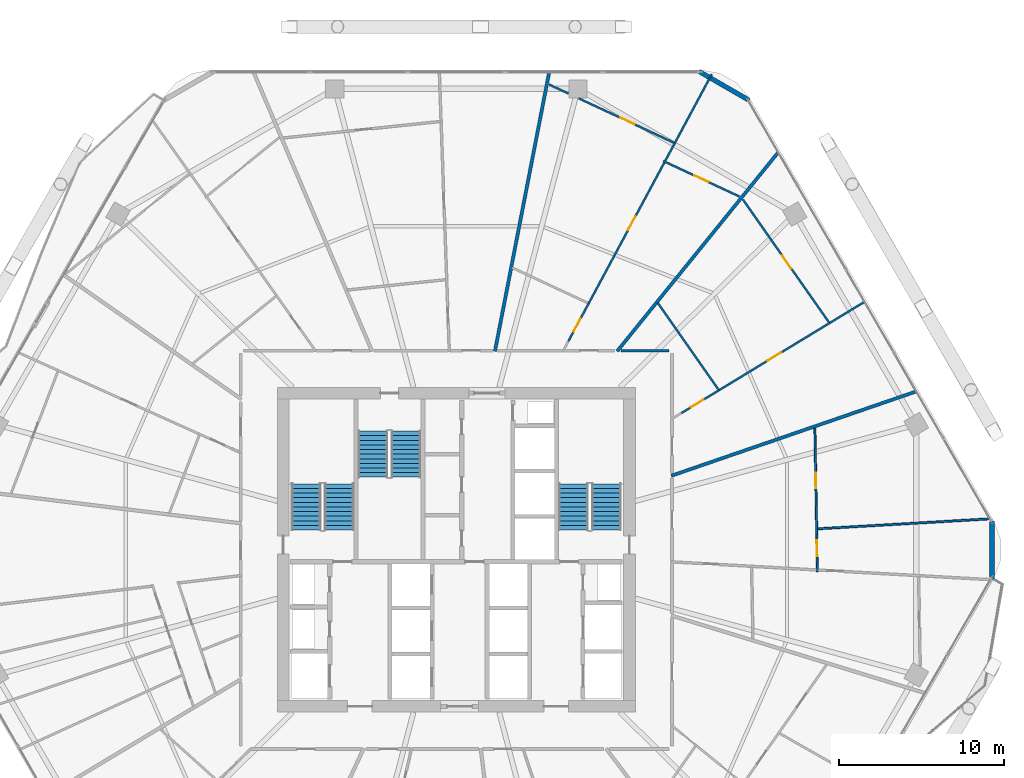
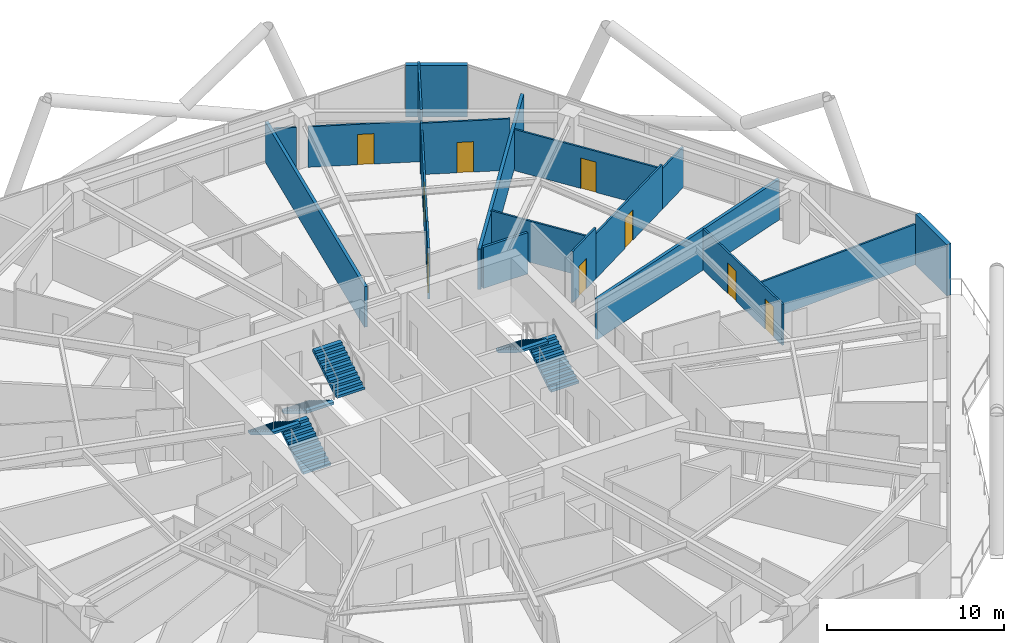
# One storey, part 34 of 36: 20 walls, 9 doors, 6 stair flights, 9 openings, 3 elements without a shape of their own.
"""IFC4 building model written with IfcOpenShell, lengths in metres."""

import ifcopenshell
import ifcopenshell.guid

model = None  # the IFC model being written
_history = None  # IfcOwnerHistory: only IFC2X3 demands one
_inside = {}  # id of a spatial element -> (the spatial element, [elements in it])
_under = {}  # id of a project, library or spatial element -> (it, [spatial elements below it])
_declared = {}  # id of a project -> (the project, [libraries it declares])
_typed = {}  # id of a type object -> (the type object, [elements of that type])
_made_of = {}  # id of a material, layer set ... -> (it, [elements and type objects made of it])


def new_model(schema):
    """Start an empty IFC model of exactly this schema.

    Asked for "IFC4X3", IfcOpenShell would pick the latest addendum, in which some entities
    have other attributes; the version numbers below select the first issue.
    IFC2X3 requires an IfcOwnerHistory on every rooted entity: one is made here for all.
    """
    global model, _history
    if schema == "IFC4X3":
        model = ifcopenshell.file(schema_version=(4, 3, 0, 0))
    else:
        model = ifcopenshell.file(schema=schema)
    _inside.clear()
    _under.clear()
    _declared.clear()
    _typed.clear()
    _made_of.clear()
    _history = None
    if model.schema == "IFC2X3":
        org = make("IfcOrganization", Name="unknown")
        user = make(
            "IfcPersonAndOrganization",
            ThePerson=make("IfcPerson", FamilyName="unknown"),
            TheOrganization=org,
        )
        app = make(
            "IfcApplication",
            ApplicationDeveloper=org,
            Version="unknown",
            ApplicationFullName="unknown",
            ApplicationIdentifier="unknown",
        )
        _history = make(
            "IfcOwnerHistory",
            OwningUser=user,
            OwningApplication=app,
            ChangeAction="ADDED",
            CreationDate=0,
        )
    return model


def make(cls, **values):
    """One entity of the class cls with the attributes given. An attribute that is None is left unset."""
    return model.create_entity(
        cls, **{name: value for name, value in values.items() if value is not None}
    )


def rooted(cls, **values):
    """An entity with a GlobalId (a new one), such as an element, a storey or a relation."""
    return make(cls, GlobalId=ifcopenshell.guid.new(), OwnerHistory=_history, **values)


def si_unit(unit_type, name, prefix=None):
    """IfcSIUnit, for example si_unit("LENGTHUNIT", "METRE", prefix="MILLI")."""
    return make("IfcSIUnit", UnitType=unit_type, Prefix=prefix, Name=name)


def assignment(units):
    """IfcUnitAssignment: the units of a project."""
    return None if units is None else make("IfcUnitAssignment", Units=units)


def point(xyz):
    """IfcCartesianPoint."""
    return None if xyz is None else make("IfcCartesianPoint", Coordinates=xyz)


def direction(xyz):
    """IfcDirection."""
    return None if xyz is None else make("IfcDirection", DirectionRatios=xyz)


def frame(location, z_axis=None, x_axis=None):
    """IfcAxis2Placement3D, a coordinate frame: its origin and axes. An axis left out is left unset."""
    return make(
        "IfcAxis2Placement3D",
        Location=point(location),
        Axis=direction(z_axis),
        RefDirection=direction(x_axis),
    )


def frame_2d(location, x_axis=None):
    """IfcAxis2Placement2D, a coordinate frame in the plane: its origin and x axis."""
    return make(
        "IfcAxis2Placement2D", Location=point(location), RefDirection=direction(x_axis)
    )


def origin():
    """The frame at (0, 0, 0) with its axes left unset."""
    return frame((0.0, 0.0, 0.0))


def place(relative_to, where):
    """IfcLocalPlacement: puts the frame where relative to a parent placement (None: the world)."""
    return make(
        "IfcLocalPlacement", PlacementRelTo=relative_to, RelativePlacement=where
    )


def context(
    kind, dimensions, precision=None, world=None, true_north=None, identifier=None
):
    """IfcGeometricRepresentationContext, for example the 3D "Model" context."""
    return make(
        "IfcGeometricRepresentationContext",
        ContextIdentifier=identifier,
        ContextType=kind,
        CoordinateSpaceDimension=dimensions,
        Precision=precision,
        WorldCoordinateSystem=world,
        TrueNorth=true_north,
    )


def subcontext(parent, identifier, kind, view, scale=None):
    """IfcGeometricRepresentationSubContext, for example "Body" below "Model"."""
    return make(
        "IfcGeometricRepresentationSubContext",
        ContextIdentifier=identifier,
        ContextType=kind,
        ParentContext=parent,
        TargetScale=scale,
        TargetView=view,
    )


def project(units=None, contexts=None):
    """IfcProject with its units and contexts."""
    return rooted(
        "IfcProject",
        Name="project",
        RepresentationContexts=contexts,
        UnitsInContext=assignment(units),
    )


def spatial(cls, under=None, at=None, **own):
    """A site, building, storey or space (cls), placed at a placement, below another one or the project."""
    s = rooted(cls, ObjectPlacement=at, **own)
    if under is not None:
        _under.setdefault(under.id(), (under, []))[1].append(s)
    return s


def polyline(points):
    """IfcPolyline through the points."""
    return make("IfcPolyline", Points=[point(p) for p in points])


def profile(cls, at=None, kind="AREA", **sizes):
    """A parametric profile (cls). Its sizes go by their IFC names, for example OverallWidth=200.0."""
    return make(cls, ProfileType=kind, Position=at, **sizes)


def rectangle(**sizes):
    """IfcRectangleProfileDef."""
    return profile("IfcRectangleProfileDef", **sizes)


def outline(outer, holes=None, kind="AREA"):
    """IfcArbitraryClosedProfileDef: a profile drawn as a closed curve; with holes, ...WithVoids."""
    if holes is None:
        return make("IfcArbitraryClosedProfileDef", ProfileType=kind, OuterCurve=outer)
    return make(
        "IfcArbitraryProfileDefWithVoids",
        ProfileType=kind,
        OuterCurve=outer,
        InnerCurves=holes,
    )


def extrude(swept, where, along, depth):
    """IfcExtrudedAreaSolid: the profile swept, set in the frame where, extruded along a direction by depth."""
    return make(
        "IfcExtrudedAreaSolid",
        SweptArea=swept,
        Position=where,
        ExtrudedDirection=direction(along),
        Depth=depth,
    )


def shape(context_of_items, identifier, shape_type, items):
    """IfcShapeRepresentation: the items that make up one representation, for example the "Body"."""
    return make(
        "IfcShapeRepresentation",
        ContextOfItems=context_of_items,
        RepresentationIdentifier=identifier,
        RepresentationType=shape_type,
        Items=items,
    )


def material(Name=None, Category=None):
    """IfcMaterial."""
    return make("IfcMaterial", Name=Name, Category=Category)


def layer(
    of_material, thickness, ventilated=None, Name=None, Category=None, Priority=None
):
    """IfcMaterialLayer: one layer of a wall or slab, of a material (None: an air gap)."""
    return make(
        "IfcMaterialLayer",
        Material=of_material,
        LayerThickness=thickness,
        IsVentilated=ventilated,
        Name=Name,
        Category=Category,
        Priority=Priority,
    )


def layer_set(layers, Name=None):
    """IfcMaterialLayerSet."""
    return make("IfcMaterialLayerSet", MaterialLayers=layers, LayerSetName=Name)


def made_of(thing, what):
    """Note that an element or type object is made of a material, layer set ...; save() writes the relation."""
    if what is not None:
        _made_of.setdefault(what.id(), (what, []))[1].append(thing)
    return thing


def type_object(cls, material=None, **own):
    """A type object (cls), such as IfcWallType, which elements share."""
    return made_of(rooted(cls, **own), material)


def element(
    cls,
    number,
    at=None,
    inside=None,
    cuts=None,
    type_object=None,
    material=None,
    context=None,
    identifier="Body",
    shape_type=None,
    held_by="IfcProductDefinitionShape",
    body=None,
    shapes=None,
    **own,
):
    """One element of the class cls, such as IfcWall. Its Tag is "e" and its number.

    at: its placement. inside: the storey or other place that contains it. cuts: it is an
    opening in that element (IfcRelVoidsElement). A single representation is given by context,
    identifier, shape_type and body (its items); several are given by shapes. held_by: the class
    of the entity that holds the representations. save() writes the other relations.
    """
    e = rooted(cls, Tag="e%d" % number, ObjectPlacement=at, **own)
    if body is not None:
        shapes = [shape(context, identifier, shape_type, body)]
    if shapes is not None:
        e.Representation = make(held_by, Representations=shapes)
    if inside is not None:
        _inside.setdefault(inside.id(), (inside, []))[1].append(e)
    if cuts is not None:
        rooted(
            "IfcRelVoidsElement", RelatingBuildingElement=cuts, RelatedOpeningElement=e
        )
    if type_object is not None:
        _typed.setdefault(type_object.id(), (type_object, []))[1].append(e)
    return made_of(e, material)


def fill(opening, filler):
    """IfcRelFillsElement: the door or window that sits in an opening."""
    return rooted(
        "IfcRelFillsElement",
        RelatingOpeningElement=opening,
        RelatedBuildingElement=filler,
    )


def aggregate(whole, parts):
    """IfcRelAggregates: a whole, such as a stair, and the parts it consists of."""
    return rooted("IfcRelAggregates", RelatingObject=whole, RelatedObjects=parts)


def save(model, path):
    """Write the relations noted so far, then the file.

    IfcRelAggregates (storeys below a building ...), IfcRelContainedInSpatialStructure (elements
    in a storey), IfcRelDefinesByType, IfcRelAssociatesMaterial and IfcRelDeclares: one each for
    every whole, place, type object, material and project.
    """
    for whole, parts in _under.values():
        aggregate(whole, parts)
    for where, things in _inside.values():
        rooted(
            "IfcRelContainedInSpatialStructure",
            RelatedElements=things,
            RelatingStructure=where,
        )
    for kind, things in _typed.values():
        rooted("IfcRelDefinesByType", RelatedObjects=things, RelatingType=kind)
    for what, things in _made_of.values():
        rooted("IfcRelAssociatesMaterial", RelatedObjects=things, RelatingMaterial=what)
    for by, libraries in _declared.values():
        rooted("IfcRelDeclares", RelatingContext=by, RelatedDefinitions=libraries)
    model.write(path)


model = new_model("IFC4")

# Units and contexts
model_context = context("Model", 3, precision=1e-05, world=origin(), true_north=direction((0.0, 1.0)))
body_context = subcontext(model_context, "Body", "Model", "MODEL_VIEW")
ifc_project = project(units=[si_unit("LENGTHUNIT", "METRE"), si_unit("AREAUNIT", "SQUARE_METRE"), si_unit("VOLUMEUNIT", "CUBIC_METRE"), si_unit("PLANEANGLEUNIT", "RADIAN"), si_unit("MASSUNIT", "GRAM", prefix="KILO")], contexts=[model_context])

# Site, building, storey
site_placement = place(None, origin())
site = spatial("IfcSite", under=ifc_project, at=site_placement, CompositionType="ELEMENT")
building_placement = place(site_placement, origin())
building = spatial("IfcBuilding", under=site, at=building_placement, Name="Zuhravey Tower", CompositionType="ELEMENT")
storey_placement = place(building_placement, frame((0.0, 0.0, 107.60009765625)))
storey = spatial("IfcBuildingStorey", under=building, at=storey_placement, Name="L26", CompositionType="ELEMENT", Elevation=107.60009765625)

# Walls
ifc_material_1 = material(Name="Gypsum fire-rated stud partition")
ifc_layer_1 = layer(ifc_material_1, 0.159912109375)
ifc_layer_set_1 = layer_set([ifc_layer_1], Name="Gypsum fire-rated stud partition")
wall_type_1 = type_object("IfcWallType", Name="Corridor Fire Partition 160", PredefinedType="PARTITIONING", material=ifc_layer_set_1)
wall_1_placement = place(storey_placement, frame((48.89990234375, 44.080078125, 0.0), z_axis=(0.0, 0.0, 1.0), x_axis=(-1.0, 0.0, 0.0)))
element("IfcWall", 1, at=wall_1_placement, inside=storey, type_object=wall_type_1, Name="L26 IW16 Partition 138", PredefinedType="PARTITIONING", context=body_context, shape_type="SweptSolid", body=[
    extrude(rectangle(XDim=2.916015625, YDim=0.159912109375, at=frame_2d((1.4580078125, 0.0))), origin(), (0.0, 0.0, 1.0), 2.849853515625),
])
ifc_material_2 = material(Name="Precast concrete C40/50", Category="concrete")
ifc_layer_2 = layer(ifc_material_2, 0.280029296875)
ifc_layer_set_2 = layer_set([ifc_layer_2], Name="Precast concrete C40/50")
wall_type_2 = type_object("IfcWallType", Name="Crown Architectural Wall 280", PredefinedType="SOLIDWALL", material=ifc_layer_set_2)
wall_2_placement = place(storey_placement, frame((50.71728515625, 61.006103515625, 0.0), z_axis=(0.0, 0.0, 1.0), x_axis=(0.866007452331, -0.500031091541, 0.0)))
element("IfcWall", 2, at=wall_2_placement, inside=storey, type_object=wall_type_2, Name="L26 Rounded Corner Closure Wall EW28-10", PredefinedType="SOLIDWALL", context=body_context, shape_type="SweptSolid", body=[
    extrude(rectangle(XDim=3.514892578125, YDim=0.280029296875, at=frame_2d((1.75732421875, 0.0))), origin(), (0.0, 0.0, 1.0), 3.5498046875),
])
wall_3_placement = place(storey_placement, frame((68.478515625, 33.757568359375, 0.0), z_axis=(0.0, 0.0, 1.0), x_axis=(0.0, -1.0, 0.0)))
element("IfcWall", 3, at=wall_3_placement, inside=storey, type_object=wall_type_2, Name="L26 Rounded Corner Closure Wall EW28-12", PredefinedType="SOLIDWALL", context=body_context, shape_type="SweptSolid", body=[
    extrude(rectangle(XDim=3.51513671875, YDim=0.280029296875, at=frame_2d((1.757568359375, 0.0))), origin(), (0.0, 0.0, 1.0), 3.5498046875),
])
ifc_material_3 = material(Name="Gypsum double-stud party assembly")
ifc_layer_3 = layer(ifc_material_3, 0.199951171875)
ifc_layer_set_3 = layer_set([ifc_layer_3], Name="Gypsum double-stud party assembly")
wall_type_3 = type_object("IfcWallType", Name="Inter-Tenancy Party Wall 200", PredefinedType="PARTITIONING", material=ifc_layer_set_3)
wall_4_placement = place(storey_placement, frame((49.0400390625, 36.489990234375, 0.0), z_axis=(0.0, 0.0, 1.0), x_axis=(0.945516411569, 0.325574439191, 0.0)))
element("IfcWall", 4, at=wall_4_placement, inside=storey, type_object=wall_type_3, Name="L26 IW20 Partition 084", PredefinedType="PARTITIONING", context=body_context, shape_type="SweptSolid", body=[
    extrude(rectangle(XDim=15.709228515625, YDim=0.199951171875, at=frame_2d((7.8544921875, 0.0))), origin(), (0.0, 0.0, 1.0), 2.7998046875),
])
wall_5_placement = place(storey_placement, frame((45.749755859375, 44.0400390625, 0.0), z_axis=(0.0, 0.0, 1.0), x_axis=(0.629320806321, 0.777145625177, 0.0)))
element("IfcWall", 5, at=wall_5_placement, inside=storey, type_object=wall_type_3, Name="L26 IW20 Partition 088", PredefinedType="PARTITIONING", context=body_context, shape_type="SweptSolid", body=[
    extrude(rectangle(XDim=15.5263671875, YDim=0.199951171875, at=frame_2d((7.76318359375, 0.0))), origin(), (0.0, 0.0, 1.0), 2.7998046875),
])
wall_6_placement = place(storey_placement, frame((38.34033203125, 44.0400390625, 0.0), z_axis=(0.0, 0.0, 1.0), x_axis=(0.190806720502, 0.981627625636, 0.0)))
element("IfcWall", 6, at=wall_6_placement, inside=storey, type_object=wall_type_3, Name="L26 IW20 Partition 093", PredefinedType="PARTITIONING", context=body_context, shape_type="SweptSolid", body=[
    extrude(rectangle(XDim=17.235107421875, YDim=0.199951171875, at=frame_2d((8.61767578125, 0.0))), origin(), (0.0, 0.0, 1.0), 2.7998046875),
])

# Wall, opening, door
ifc_material_4 = material(Name="Gypsum metal-stud partition")
ifc_layer_4 = layer(ifc_material_4, 0.1201171875)
ifc_layer_set_4 = layer_set([ifc_layer_4], Name="Gypsum metal-stud partition")
wall_type_4 = type_object("IfcWallType", Name="Unit Internal Partition 120", PredefinedType="PARTITIONING", material=ifc_layer_set_4)
wall_7_placement = place(storey_placement, frame((49.64990234375, 40.292724609375, 0.0), z_axis=(0.0, 0.0, 1.0), x_axis=(0.854654905255, 0.519196487781, 0.0)))
wall_7 = element("IfcWall", 7, at=wall_7_placement, inside=storey, type_object=wall_type_4, Name="L26 IW12 Partition 019", PredefinedType="PARTITIONING", context=body_context, shape_type="SweptSolid", body=[
    extrude(rectangle(XDim=2.68408203125, YDim=0.1201171875, at=frame_2d((1.342041015625, 0.0))), origin(), (0.0, 0.0, 1.0), 3.5498046875),
])
opening_1_placement = place(wall_7_placement, frame((0.67724609375, 0.0, 0.0)))
opening_1 = element("IfcOpeningElement", 8, at=opening_1_placement, cuts=wall_7, Name="Opening WCD1", PredefinedType="OPENING", context=body_context, shape_type="SweptSolid", body=[
    extrude(rectangle(XDim=0.89990234375, YDim=2.10009765625, at=frame_2d((0.449951171875, 1.050048828125))), frame((0.0, 0.072021484375, 0.0), z_axis=(0.0, -1.0, 0.0), x_axis=(1.0, 0.0, 0.0)), (0.0, 0.0, 1.0), 0.14404296875),
])
ifc_material_5 = material(Name="Moisture-resistant timber leaf", Category="wood")
door_type_1 = type_object("IfcDoorType", Name="Bathroom & WC Internal Door 900x2100", OperationType="NOTDEFINED", PredefinedType="DOOR", material=ifc_material_5)
door_1_placement = place(opening_1_placement, origin())
door_1 = element("IfcDoor", 9, at=door_1_placement, inside=storey, type_object=door_type_1, Name="Apartment L26-01 Bathroom Door", OperationType="SINGLE_SWING_LEFT", OverallHeight=2.10009765625, OverallWidth=0.89990234375, PredefinedType="DOOR", context=body_context, shape_type="SweptSolid", body=[
    extrude(rectangle(XDim=0.89990234375, YDim=2.10009765625, at=frame_2d((0.449951171875, 1.050048828125))), frame((0.0, 0.02490234375, 0.0), z_axis=(0.0, -1.0, 0.0), x_axis=(1.0, 0.0, 0.0)), (0.0, 0.0, 1.0), 0.050048828125),
])
fill(opening_1, door_1)

wall_8_placement = place(storey_placement, frame((51.94384765625, 41.686279296875, 0.0), z_axis=(0.0, 0.0, 1.0), x_axis=(0.854642479396, 0.519216941569, 0.0)))
wall_8 = element("IfcWall", 10, at=wall_8_placement, inside=storey, type_object=wall_type_4, Name="L26 IW12 Partition 020", PredefinedType="PARTITIONING", context=body_context, shape_type="SweptSolid", body=[
    extrude(rectangle(XDim=7.842529296875, YDim=0.1201171875, at=frame_2d((3.92138671875, 0.0))), origin(), (0.0, 0.0, 1.0), 3.099853515625),
])
opening_2_placement = place(wall_8_placement, frame((3.421142578125, 0.0, 0.0)))
opening_2 = element("IfcOpeningElement", 11, at=opening_2_placement, cuts=wall_8, Name="Opening IND1", PredefinedType="OPENING", context=body_context, shape_type="SweptSolid", body=[
    extrude(rectangle(XDim=0.949951171875, YDim=2.10009765625, at=frame_2d((0.47509765625, 1.050048828125))), frame((0.0, 0.072021484375, 0.0), z_axis=(0.0, -1.0, 0.0), x_axis=(1.0, 0.0, 0.0)), (0.0, 0.0, 1.0), 0.14404296875),
])
ifc_material_6 = material(Name="Painted engineered timber leaf", Category="wood")
door_type_2 = type_object("IfcDoorType", Name="Internal Room & Bedroom Door 950x2100", OperationType="NOTDEFINED", PredefinedType="DOOR", material=ifc_material_6)
door_2_placement = place(opening_2_placement, origin())
door_2 = element("IfcDoor", 12, at=door_2_placement, inside=storey, type_object=door_type_2, Name="Apartment L26-01 Home Office Door", OperationType="SINGLE_SWING_RIGHT", OverallHeight=2.10009765625, OverallWidth=0.949951171875, PredefinedType="DOOR", context=body_context, shape_type="SweptSolid", body=[
    extrude(rectangle(XDim=0.949951171875, YDim=2.10009765625, at=frame_2d((0.47509765625, 1.050048828125))), frame((0.0, 0.02490234375, 0.0), z_axis=(0.0, -1.0, 0.0), x_axis=(1.0, 0.0, 0.0)), (0.0, 0.0, 1.0), 0.050048828125),
])
fill(opening_2, door_2)

wall_9_placement = place(storey_placement, frame((58.5859375, 45.80126953125, 0.0), z_axis=(0.0, 0.0, 1.0), x_axis=(-0.573574227098, 0.81915359122, 0.0)))
wall_9 = element("IfcWall", 13, at=wall_9_placement, inside=storey, type_object=wall_type_4, Name="L26 IW12 Partition 021", PredefinedType="PARTITIONING", context=body_context, shape_type="SweptSolid", body=[
    extrude(rectangle(XDim=9.07958984375, YDim=0.1201171875, at=frame_2d((4.539794921875, 0.0))), origin(), (0.0, 0.0, 1.0), 2.849853515625),
])
opening_3_placement = place(wall_9_placement, frame((3.98046875, 0.0, 0.0)))
opening_3 = element("IfcOpeningElement", 14, at=opening_3_placement, cuts=wall_9, Name="Opening IND1", PredefinedType="OPENING", context=body_context, shape_type="SweptSolid", body=[
    extrude(rectangle(XDim=0.949951171875, YDim=2.10009765625, at=frame_2d((0.47509765625, 1.050048828125))), frame((0.0, 0.072021484375, 0.0), z_axis=(0.0, -1.0, 0.0), x_axis=(1.0, 0.0, 0.0)), (0.0, 0.0, 1.0), 0.14404296875),
])
door_3_placement = place(opening_3_placement, frame((0.949951171875, 0.0, 0.0), z_axis=(0.0, 0.0, 1.0), x_axis=(-1.0, 0.0, 0.0)))
door_3 = element("IfcDoor", 15, at=door_3_placement, inside=storey, type_object=door_type_2, Name="Apartment L26-01 Bedroom 1 Door", OperationType="SINGLE_SWING_LEFT", OverallHeight=2.10009765625, OverallWidth=0.949951171875, PredefinedType="DOOR", context=body_context, shape_type="SweptSolid", body=[
    extrude(rectangle(XDim=0.949951171875, YDim=2.10009765625, at=frame_2d((0.47509765625, 1.050048828125))), frame((0.0, 0.02490234375, 0.0), z_axis=(0.0, -1.0, 0.0), x_axis=(1.0, 0.0, 0.0)), (0.0, 0.0, 1.0), 0.050048828125),
])
fill(opening_3, door_3)

wall_10_placement = place(storey_placement, frame((53.166259765625, 53.42041015625, 0.0), z_axis=(0.0, 0.0, 1.0), x_axis=(-0.906301834907, 0.422631025889, 0.0)))
wall_10 = element("IfcWall", 16, at=wall_10_placement, inside=storey, type_object=wall_type_4, Name="L26 IW12 Partition 023", PredefinedType="PARTITIONING", context=body_context, shape_type="SweptSolid", body=[
    extrude(rectangle(XDim=5.095703125, YDim=0.1201171875, at=frame_2d((2.5478515625, 0.0))), origin(), (0.0, 0.0, 1.0), 3.5498046875),
])
opening_4_placement = place(wall_10_placement, frame((2.072998046875, 0.0, 0.0)))
opening_4 = element("IfcOpeningElement", 17, at=opening_4_placement, cuts=wall_10, Name="Opening IND1", PredefinedType="OPENING", context=body_context, shape_type="SweptSolid", body=[
    extrude(rectangle(XDim=0.949951171875, YDim=2.10009765625, at=frame_2d((0.47509765625, 1.050048828125))), frame((0.0, 0.072021484375, 0.0), z_axis=(0.0, -1.0, 0.0), x_axis=(1.0, 0.0, 0.0)), (0.0, 0.0, 1.0), 0.14404296875),
])
door_4_placement = place(opening_4_placement, frame((0.949951171875, 0.0, 0.0), z_axis=(0.0, 0.0, 1.0), x_axis=(-1.0, 0.0, 0.0)))
door_4 = element("IfcDoor", 18, at=door_4_placement, inside=storey, type_object=door_type_2, Name="Apartment L26-02 Family Study Door", OperationType="SINGLE_SWING_LEFT", OverallHeight=2.10009765625, OverallWidth=0.949951171875, PredefinedType="DOOR", context=body_context, shape_type="SweptSolid", body=[
    extrude(rectangle(XDim=0.949951171875, YDim=2.10009765625, at=frame_2d((0.47509765625, 1.050048828125))), frame((0.0, 0.02490234375, 0.0), z_axis=(0.0, -1.0, 0.0), x_axis=(1.0, 0.0, 0.0)), (0.0, 0.0, 1.0), 0.050048828125),
])
fill(opening_4, door_4)

wall_11_placement = place(storey_placement, frame((42.794189453125, 44.64990234375, 0.0), z_axis=(0.0, 0.0, 1.0), x_axis=(0.473152013486, 0.880980801229, 0.0)))
wall_11 = element("IfcWall", 19, at=wall_11_placement, inside=storey, type_object=wall_type_4, Name="L26 IW12 Partition 024", PredefinedType="PARTITIONING", context=body_context, shape_type="SweptSolid", body=[
    extrude(rectangle(XDim=2.62744140625, YDim=0.1201171875, at=frame_2d((1.313720703125, 0.0))), origin(), (0.0, 0.0, 1.0), 3.5498046875),
])
opening_5_placement = place(wall_11_placement, frame((0.653564453125, 0.0, 0.0)))
opening_5 = element("IfcOpeningElement", 20, at=opening_5_placement, cuts=wall_11, Name="Opening WCD1", PredefinedType="OPENING", context=body_context, shape_type="SweptSolid", body=[
    extrude(rectangle(XDim=0.89990234375, YDim=2.10009765625, at=frame_2d((0.449951171875, 1.050048828125))), frame((0.0, 0.072021484375, 0.0), z_axis=(0.0, -1.0, 0.0), x_axis=(1.0, 0.0, 0.0)), (0.0, 0.0, 1.0), 0.14404296875),
])
door_5_placement = place(opening_5_placement, origin())
door_5 = element("IfcDoor", 21, at=door_5_placement, inside=storey, type_object=door_type_1, Name="Apartment L26-02 Bathroom Door", OperationType="SINGLE_SWING_RIGHT", OverallHeight=2.10009765625, OverallWidth=0.89990234375, PredefinedType="DOOR", context=body_context, shape_type="SweptSolid", body=[
    extrude(rectangle(XDim=0.89990234375, YDim=2.10009765625, at=frame_2d((0.449951171875, 1.050048828125))), frame((0.0, 0.02490234375, 0.0), z_axis=(0.0, -1.0, 0.0), x_axis=(1.0, 0.0, 0.0)), (0.0, 0.0, 1.0), 0.050048828125),
])
fill(opening_5, door_5)

wall_12_placement = place(storey_placement, frame((44.03759765625, 46.964599609375, 0.0), z_axis=(0.0, 0.0, 1.0), x_axis=(0.473145171057, 0.880984476086, 0.0)))
wall_12 = element("IfcWall", 22, at=wall_12_placement, inside=storey, type_object=wall_type_4, Name="L26 IW12 Partition 025", PredefinedType="PARTITIONING", context=body_context, shape_type="SweptSolid", body=[
    extrude(rectangle(XDim=9.65625, YDim=0.1201171875, at=frame_2d((4.828125, 0.0))), origin(), (0.0, 0.0, 1.0), 3.099853515625),
])
opening_6_placement = place(wall_12_placement, frame((5.014404296875, 0.0, 0.0)))
opening_6 = element("IfcOpeningElement", 23, at=opening_6_placement, cuts=wall_12, Name="Opening IND1", PredefinedType="OPENING", context=body_context, shape_type="SweptSolid", body=[
    extrude(rectangle(XDim=0.949951171875, YDim=2.10009765625, at=frame_2d((0.47509765625, 1.050048828125))), frame((0.0, 0.072021484375, 0.0), z_axis=(0.0, -1.0, 0.0), x_axis=(1.0, 0.0, 0.0)), (0.0, 0.0, 1.0), 0.14404296875),
])
door_6_placement = place(opening_6_placement, origin())
door_6 = element("IfcDoor", 24, at=door_6_placement, inside=storey, type_object=door_type_2, Name="Apartment L26-02 Home Office Door", OperationType="SINGLE_SWING_LEFT", OverallHeight=2.10009765625, OverallWidth=0.949951171875, PredefinedType="DOOR", context=body_context, shape_type="SweptSolid", body=[
    extrude(rectangle(XDim=0.949951171875, YDim=2.10009765625, at=frame_2d((0.47509765625, 1.050048828125))), frame((0.0, 0.02490234375, 0.0), z_axis=(0.0, -1.0, 0.0), x_axis=(1.0, 0.0, 0.0)), (0.0, 0.0, 1.0), 0.050048828125),
])
fill(opening_6, door_6)

# Wall
wall_13_placement = place(storey_placement, frame((48.6708984375, 55.591796875, 0.0), z_axis=(0.0, 0.0, 1.0), x_axis=(0.473251547015, 0.880927337099, 0.0)))
element("IfcWall", 25, at=wall_13_placement, inside=storey, type_object=wall_type_4, Name="L26 IW12 Partition 026", PredefinedType="PARTITIONING", context=body_context, shape_type="SweptSolid", body=[
    extrude(rectangle(XDim=1.236083984375, YDim=0.1201171875, at=frame_2d((0.6181640625, 0.0))), origin(), (0.0, 0.0, 1.0), 2.7998046875),
])

# Wall, opening, door
wall_14_placement = place(storey_placement, frame((49.18212890625, 56.687255859375, 0.0), z_axis=(0.0, 0.0, 1.0), x_axis=(-0.906301625288, 0.422631475402, 0.0)))
wall_14 = element("IfcWall", 26, at=wall_14_placement, inside=storey, type_object=wall_type_4, Name="L26 IW12 Partition 027", PredefinedType="PARTITIONING", context=body_context, shape_type="SweptSolid", body=[
    extrude(rectangle(XDim=6.36767578125, YDim=0.1201171875, at=frame_2d((3.183837890625, 0.0))), origin(), (0.0, 0.0, 1.0), 2.7998046875),
])
opening_7_placement = place(wall_14_placement, frame((2.624755859375, 0.0, 0.0)))
opening_7 = element("IfcOpeningElement", 27, at=opening_7_placement, cuts=wall_14, Name="Opening IND1", PredefinedType="OPENING", context=body_context, shape_type="SweptSolid", body=[
    extrude(rectangle(XDim=0.949951171875, YDim=2.10009765625, at=frame_2d((0.47509765625, 1.050048828125))), frame((0.0, 0.072021484375, 0.0), z_axis=(0.0, -1.0, 0.0), x_axis=(1.0, 0.0, 0.0)), (0.0, 0.0, 1.0), 0.14404296875),
])
door_7_placement = place(opening_7_placement, frame((0.949951171875, 0.0, 0.0), z_axis=(0.0, 0.0, 1.0), x_axis=(-1.0, 0.0, 0.0)))
door_7 = element("IfcDoor", 28, at=door_7_placement, inside=storey, type_object=door_type_2, Name="Apartment L26-02 Kitchen Door", OperationType="SINGLE_SWING_RIGHT", OverallHeight=2.10009765625, OverallWidth=0.949951171875, PredefinedType="DOOR", context=body_context, shape_type="SweptSolid", body=[
    extrude(rectangle(XDim=0.949951171875, YDim=2.10009765625, at=frame_2d((0.47509765625, 1.050048828125))), frame((0.0, 0.02490234375, 0.0), z_axis=(0.0, -1.0, 0.0), x_axis=(1.0, 0.0, 0.0)), (0.0, 0.0, 1.0), 0.050048828125),
])
fill(opening_7, door_7)

# Wall, openings, doors
wall_15_placement = place(storey_placement, frame((57.892578125, 30.67578125, 0.0), z_axis=(0.0, 0.0, 1.0), x_axis=(-0.017472298046, 0.999847347749, 0.0)))
wall_15 = element("IfcWall", 29, at=wall_15_placement, inside=storey, type_object=wall_type_4, Name="L26 IW12 Partition 069", PredefinedType="PARTITIONING", context=body_context, shape_type="SweptSolid", body=[
    extrude(rectangle(XDim=8.705078125, YDim=0.1201171875, at=frame_2d((4.3525390625, 0.0))), origin(), (0.0, 0.0, 1.0), 2.849853515625),
])
opening_8_placement = place(wall_15_placement, frame((0.941162109375, 0.0, 0.0)))
opening_8 = element("IfcOpeningElement", 30, at=opening_8_placement, cuts=wall_15, Name="Opening IND1", PredefinedType="OPENING", context=body_context, shape_type="SweptSolid", body=[
    extrude(rectangle(XDim=0.949951171875, YDim=2.10009765625, at=frame_2d((0.47509765625, 1.050048828125))), frame((0.0, 0.072021484375, 0.0), z_axis=(0.0, -1.0, 0.0), x_axis=(1.0, 0.0, 0.0)), (0.0, 0.0, 1.0), 0.14404296875),
])
opening_9_placement = place(wall_15_placement, frame((5.0537109375, 0.0, 0.0)))
opening_9 = element("IfcOpeningElement", 31, at=opening_9_placement, cuts=wall_15, Name="Opening IND1", PredefinedType="OPENING", context=body_context, shape_type="SweptSolid", body=[
    extrude(rectangle(XDim=0.949951171875, YDim=2.10009765625, at=frame_2d((0.47509765625, 1.050048828125))), frame((0.0, 0.072021484375, 0.0), z_axis=(0.0, -1.0, 0.0), x_axis=(1.0, 0.0, 0.0)), (0.0, 0.0, 1.0), 0.14404296875),
])
door_8_placement = place(opening_8_placement, frame((0.949951171875, 0.0, 0.0), z_axis=(0.0, 0.0, 1.0), x_axis=(-1.0, 0.0, 0.0)))
door_8 = element("IfcDoor", 32, at=door_8_placement, inside=storey, type_object=door_type_2, Name="Apartment L26-11 Family Study Door", OperationType="SINGLE_SWING_RIGHT", OverallHeight=2.10009765625, OverallWidth=0.949951171875, PredefinedType="DOOR", context=body_context, shape_type="SweptSolid", body=[
    extrude(rectangle(XDim=0.949951171875, YDim=2.10009765625, at=frame_2d((0.47509765625, 1.050048828125))), frame((0.0, 0.02490234375, 0.0), z_axis=(0.0, -1.0, 0.0), x_axis=(1.0, 0.0, 0.0)), (0.0, 0.0, 1.0), 0.050048828125),
])
fill(opening_8, door_8)
door_9_placement = place(opening_9_placement, frame((0.949951171875, 0.0, 0.0), z_axis=(0.0, 0.0, 1.0), x_axis=(-1.0, 0.0, 0.0)))
door_9 = element("IfcDoor", 33, at=door_9_placement, inside=storey, type_object=door_type_2, Name="Apartment L26-11 Dining Room Door", OperationType="SINGLE_SWING_LEFT", OverallHeight=2.10009765625, OverallWidth=0.949951171875, PredefinedType="DOOR", context=body_context, shape_type="SweptSolid", body=[
    extrude(rectangle(XDim=0.949951171875, YDim=2.10009765625, at=frame_2d((0.47509765625, 1.050048828125))), frame((0.0, 0.02490234375, 0.0), z_axis=(0.0, -1.0, 0.0), x_axis=(1.0, 0.0, 0.0)), (0.0, 0.0, 1.0), 0.050048828125),
])
fill(opening_9, door_9)

# Walls
wall_16_placement = place(storey_placement, frame((58.646484375, 45.75830078125, 0.0), z_axis=(0.0, 0.0, 1.0), x_axis=(0.854604427489, 0.519279570672, 0.0)))
element("IfcWall", 34, at=wall_16_placement, inside=storey, type_object=wall_type_4, Name="L26 IW12 Partition 086", PredefinedType="PARTITIONING", context=body_context, shape_type="SweptSolid", body=[
    extrude(rectangle(XDim=2.472412109375, YDim=0.1201171875, at=frame_2d((1.236328125, 0.0))), origin(), (0.0, 0.0, 1.0), 2.7998046875),
])
wall_17_placement = place(storey_placement, frame((51.883544921875, 41.729248046875, 0.0), z_axis=(0.0, 0.0, 1.0), x_axis=(-0.573595462393, 0.819138721782, 0.0)))
element("IfcWall", 35, at=wall_17_placement, inside=storey, type_object=wall_type_4, Name="L26 IW12 Partition 087", PredefinedType="PARTITIONING", context=body_context, shape_type="SweptSolid", body=[
    extrude(rectangle(XDim=6.400146484375, YDim=0.1201171875, at=frame_2d((3.2001953125, 0.0))), origin(), (0.0, 0.0, 1.0), 2.849853515625),
])
wall_18_placement = place(storey_placement, frame((49.255859375, 56.6806640625, 0.0), z_axis=(0.0, 0.0, 1.0), x_axis=(0.473160047709, 0.880976486209, 0.0)))
element("IfcWall", 36, at=wall_18_placement, inside=storey, type_object=wall_type_4, Name="L26 IW12 Partition 090", PredefinedType="PARTITIONING", context=body_context, shape_type="SweptSolid", body=[
    extrude(rectangle(XDim=4.726318359375, YDim=0.1201171875, at=frame_2d((2.36328125, 0.0))), origin(), (0.0, 0.0, 1.0), 3.5498046875),
])
wall_19_placement = place(storey_placement, frame((42.800048828125, 59.66357421875, 0.0), z_axis=(0.0, 0.0, 1.0), x_axis=(-0.906338544202, 0.42255229652, 0.0)))
element("IfcWall", 37, at=wall_19_placement, inside=storey, type_object=wall_type_4, Name="L26 IW12 Partition 092", PredefinedType="PARTITIONING", context=body_context, shape_type="SweptSolid", body=[
    extrude(rectangle(XDim=1.283935546875, YDim=0.1201171875, at=frame_2d((0.64208984375, 0.0))), origin(), (0.0, 0.0, 1.0), 2.7998046875),
])
wall_20_placement = place(storey_placement, frame((57.915283203125, 33.271484375, 0.0), z_axis=(0.0, 0.0, 1.0), x_axis=(0.998320843176, 0.057926626694, 0.0)))
element("IfcWall", 38, at=wall_20_placement, inside=storey, type_object=wall_type_4, Name="L26 IW12 Partition 133", PredefinedType="PARTITIONING", context=body_context, shape_type="SweptSolid", body=[
    extrude(rectangle(XDim=10.490234375, YDim=0.1201171875, at=frame_2d((5.2451171875, 0.0))), origin(), (0.0, 0.0, 1.0), 2.7998046875),
])

# Stair, stair flights
ifc_material_7 = material(Name="Concrete C40/50", Category="concrete")
stair_type = type_object("IfcStairType", Name="Housing Storey Stair Assembly 3800", PredefinedType="HALF_TURN_STAIR", material=ifc_material_7)
stair_1_placement = place(storey_placement, origin())
stair_1 = element("IfcStair", 39, at=stair_1_placement, inside=storey, type_object=stair_type, Name="L26 Core Exit Stair ST1", PredefinedType="HALF_TURN_STAIR")
stair_flight_type = type_object("IfcStairFlightType", Name="Housing Storey Stair Flight 3800", PredefinedType="STRAIGHT", material=ifc_material_7)
stair_flight_1_placement = place(storey_placement, frame((28.89990234375, 33.199951171875, 0.0), z_axis=(0.0, 0.0, 1.0), x_axis=(0.0, 1.0, 0.0)))
stair_flight_1 = element("IfcStairFlight", 40, at=stair_flight_1_placement, type_object=stair_flight_type, Name="ST1 flight 1", NumberOfRisers=11, NumberOfTreads=10, PredefinedType="STRAIGHT", RiserHeight=0.172727273, TreadLength=0.28, context=body_context, shape_type="SweptSolid", body=[
    extrude(outline(polyline([(0.0, 0.0), (0.0, 0.172607421875), (0.280029296875, 0.172607421875), (0.280029296875, 0.345458984375), (0.56005859375, 0.345458984375), (0.56005859375, 0.51806640625), (0.840087890625, 0.51806640625), (0.840087890625, 0.69091796875), (1.1201171875, 0.69091796875), (1.1201171875, 0.863525390625), (1.39990234375, 0.863525390625), (1.39990234375, 1.036376953125), (1.679931640625, 1.036376953125), (1.679931640625, 1.208984375), (1.9599609375, 1.208984375), (1.9599609375, 1.3818359375), (2.239990234375, 1.3818359375), (2.239990234375, 1.554443359375), (2.52001953125, 1.554443359375), (2.52001953125, 1.727294921875), (2.800048828125, 1.727294921875), (2.800048828125, 1.89990234375), (2.800048828125, 1.551025390625), (0.285400390625, 0.0), (0.0, 0.0)])), frame((0.0, 0.89990234375, 0.0), z_axis=(0.0, -1.0, 0.0), x_axis=(1.0, 0.0, 0.0)), (0.0, 0.0, 1.0), 1.800048828125),
])
stair_flight_2_placement = place(storey_placement, frame((26.89990234375, 36.0, 1.89990234375), z_axis=(0.0, 0.0, 1.0), x_axis=(0.0, -1.0, 0.0)))
stair_flight_2 = element("IfcStairFlight", 41, at=stair_flight_2_placement, type_object=stair_flight_type, Name="ST1 flight 2", NumberOfRisers=11, NumberOfTreads=10, PredefinedType="STRAIGHT", RiserHeight=0.172727273, TreadLength=0.28, context=body_context, shape_type="SweptSolid", body=[
    extrude(outline(polyline([(0.0, 0.0), (0.0, 0.172607421875), (0.280029296875, 0.172607421875), (0.280029296875, 0.345458984375), (0.56005859375, 0.345458984375), (0.56005859375, 0.51806640625), (0.840087890625, 0.51806640625), (0.840087890625, 0.69091796875), (1.1201171875, 0.69091796875), (1.1201171875, 0.863525390625), (1.39990234375, 0.863525390625), (1.39990234375, 1.036376953125), (1.679931640625, 1.036376953125), (1.679931640625, 1.208984375), (1.9599609375, 1.208984375), (1.9599609375, 1.3818359375), (2.239990234375, 1.3818359375), (2.239990234375, 1.554443359375), (2.52001953125, 1.554443359375), (2.52001953125, 1.727294921875), (2.800048828125, 1.727294921875), (2.800048828125, 1.89990234375), (2.800048828125, 1.551025390625), (0.285400390625, 0.0), (0.0, 0.0)])), frame((0.0, 0.89990234375, 0.0), z_axis=(0.0, -1.0, 0.0), x_axis=(1.0, 0.0, 0.0)), (0.0, 0.0, 1.0), 1.800048828125),
])
aggregate(stair_1, [stair_flight_1, stair_flight_2])

stair_2_placement = place(storey_placement, origin())
stair_2 = element("IfcStair", 42, at=stair_2_placement, inside=storey, type_object=stair_type, Name="L26 Core Exit Stair ST2", PredefinedType="HALF_TURN_STAIR")
stair_flight_3_placement = place(storey_placement, frame((45.10009765625, 33.199951171875, 0.0), z_axis=(0.0, 0.0, 1.0), x_axis=(0.0, 1.0, 0.0)))
stair_flight_3 = element("IfcStairFlight", 43, at=stair_flight_3_placement, type_object=stair_flight_type, Name="ST2 flight 1", NumberOfRisers=11, NumberOfTreads=10, PredefinedType="STRAIGHT", RiserHeight=0.172727273, TreadLength=0.28, context=body_context, shape_type="SweptSolid", body=[
    extrude(outline(polyline([(0.0, 0.0), (0.0, 0.172607421875), (0.280029296875, 0.172607421875), (0.280029296875, 0.345458984375), (0.56005859375, 0.345458984375), (0.56005859375, 0.51806640625), (0.840087890625, 0.51806640625), (0.840087890625, 0.69091796875), (1.1201171875, 0.69091796875), (1.1201171875, 0.863525390625), (1.39990234375, 0.863525390625), (1.39990234375, 1.036376953125), (1.679931640625, 1.036376953125), (1.679931640625, 1.208984375), (1.9599609375, 1.208984375), (1.9599609375, 1.3818359375), (2.239990234375, 1.3818359375), (2.239990234375, 1.554443359375), (2.52001953125, 1.554443359375), (2.52001953125, 1.727294921875), (2.800048828125, 1.727294921875), (2.800048828125, 1.89990234375), (2.800048828125, 1.551025390625), (0.285400390625, 0.0), (0.0, 0.0)])), frame((0.0, 0.89990234375, 0.0), z_axis=(0.0, -1.0, 0.0), x_axis=(1.0, 0.0, 0.0)), (0.0, 0.0, 1.0), 1.800048828125),
])
stair_flight_4_placement = place(storey_placement, frame((43.10009765625, 36.0, 1.89990234375), z_axis=(0.0, 0.0, 1.0), x_axis=(0.0, -1.0, 0.0)))
stair_flight_4 = element("IfcStairFlight", 44, at=stair_flight_4_placement, type_object=stair_flight_type, Name="ST2 flight 2", NumberOfRisers=11, NumberOfTreads=10, PredefinedType="STRAIGHT", RiserHeight=0.172727273, TreadLength=0.28, context=body_context, shape_type="SweptSolid", body=[
    extrude(outline(polyline([(0.0, 0.0), (0.0, 0.172607421875), (0.280029296875, 0.172607421875), (0.280029296875, 0.345458984375), (0.56005859375, 0.345458984375), (0.56005859375, 0.51806640625), (0.840087890625, 0.51806640625), (0.840087890625, 0.69091796875), (1.1201171875, 0.69091796875), (1.1201171875, 0.863525390625), (1.39990234375, 0.863525390625), (1.39990234375, 1.036376953125), (1.679931640625, 1.036376953125), (1.679931640625, 1.208984375), (1.9599609375, 1.208984375), (1.9599609375, 1.3818359375), (2.239990234375, 1.3818359375), (2.239990234375, 1.554443359375), (2.52001953125, 1.554443359375), (2.52001953125, 1.727294921875), (2.800048828125, 1.727294921875), (2.800048828125, 1.89990234375), (2.800048828125, 1.551025390625), (0.285400390625, 0.0), (0.0, 0.0)])), frame((0.0, 0.89990234375, 0.0), z_axis=(0.0, -1.0, 0.0), x_axis=(1.0, 0.0, 0.0)), (0.0, 0.0, 1.0), 1.800048828125),
])
aggregate(stair_2, [stair_flight_3, stair_flight_4])

stair_3_placement = place(storey_placement, origin())
stair_3 = element("IfcStair", 45, at=stair_3_placement, inside=storey, type_object=stair_type, Name="L26 Core Exit Stair ST3", PredefinedType="HALF_TURN_STAIR")
stair_flight_5_placement = place(storey_placement, frame((30.949951171875, 39.199951171875, 0.0), z_axis=(0.0, 0.0, 1.0), x_axis=(0.0, -1.0, 0.0)))
stair_flight_5 = element("IfcStairFlight", 46, at=stair_flight_5_placement, type_object=stair_flight_type, Name="ST3 flight 1", NumberOfRisers=11, NumberOfTreads=10, PredefinedType="STRAIGHT", RiserHeight=0.172727273, TreadLength=0.28, context=body_context, shape_type="SweptSolid", body=[
    extrude(outline(polyline([(0.0, 0.0), (0.0, 0.172607421875), (0.280029296875, 0.172607421875), (0.280029296875, 0.345458984375), (0.56005859375, 0.345458984375), (0.56005859375, 0.51806640625), (0.840087890625, 0.51806640625), (0.840087890625, 0.69091796875), (1.1201171875, 0.69091796875), (1.1201171875, 0.863525390625), (1.39990234375, 0.863525390625), (1.39990234375, 1.036376953125), (1.679931640625, 1.036376953125), (1.679931640625, 1.208984375), (1.9599609375, 1.208984375), (1.9599609375, 1.3818359375), (2.239990234375, 1.3818359375), (2.239990234375, 1.554443359375), (2.52001953125, 1.554443359375), (2.52001953125, 1.727294921875), (2.800048828125, 1.727294921875), (2.800048828125, 1.89990234375), (2.800048828125, 1.551025390625), (0.285400390625, 0.0), (0.0, 0.0)])), frame((0.0, 0.89990234375, 0.0), z_axis=(0.0, -1.0, 0.0), x_axis=(1.0, 0.0, 0.0)), (0.0, 0.0, 1.0), 1.800048828125),
])
stair_flight_6_placement = place(storey_placement, frame((32.949951171875, 36.39990234375, 1.89990234375), z_axis=(0.0, 0.0, 1.0), x_axis=(0.0, 1.0, 0.0)))
stair_flight_6 = element("IfcStairFlight", 47, at=stair_flight_6_placement, type_object=stair_flight_type, Name="ST3 flight 2", NumberOfRisers=11, NumberOfTreads=10, PredefinedType="STRAIGHT", RiserHeight=0.172727273, TreadLength=0.28, context=body_context, shape_type="SweptSolid", body=[
    extrude(outline(polyline([(0.0, 0.0), (0.0, 0.172607421875), (0.280029296875, 0.172607421875), (0.280029296875, 0.345458984375), (0.56005859375, 0.345458984375), (0.56005859375, 0.51806640625), (0.840087890625, 0.51806640625), (0.840087890625, 0.69091796875), (1.1201171875, 0.69091796875), (1.1201171875, 0.863525390625), (1.39990234375, 0.863525390625), (1.39990234375, 1.036376953125), (1.679931640625, 1.036376953125), (1.679931640625, 1.208984375), (1.9599609375, 1.208984375), (1.9599609375, 1.3818359375), (2.239990234375, 1.3818359375), (2.239990234375, 1.554443359375), (2.52001953125, 1.554443359375), (2.52001953125, 1.727294921875), (2.800048828125, 1.727294921875), (2.800048828125, 1.89990234375), (2.800048828125, 1.551025390625), (0.285400390625, 0.0), (0.0, 0.0)])), frame((0.0, 0.89990234375, 0.0), z_axis=(0.0, -1.0, 0.0), x_axis=(1.0, 0.0, 0.0)), (0.0, 0.0, 1.0), 1.800048828125),
])
aggregate(stair_3, [stair_flight_5, stair_flight_6])

save(model, "model.ifc")
